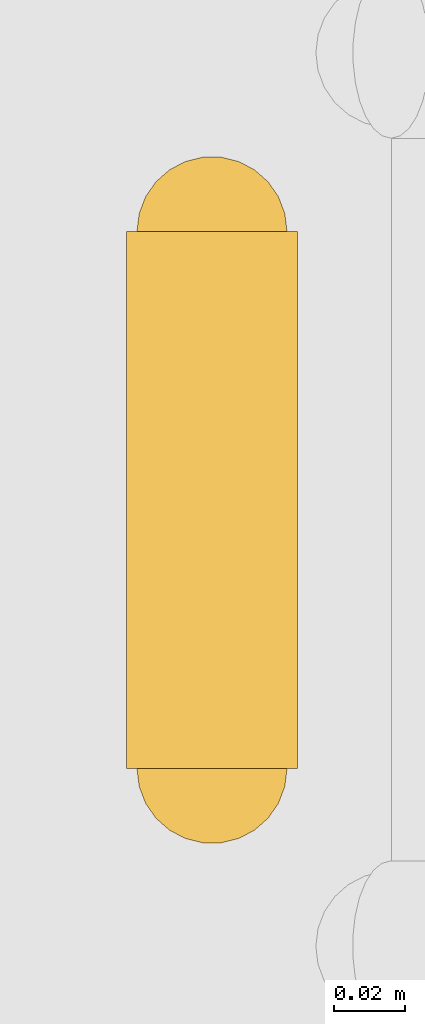
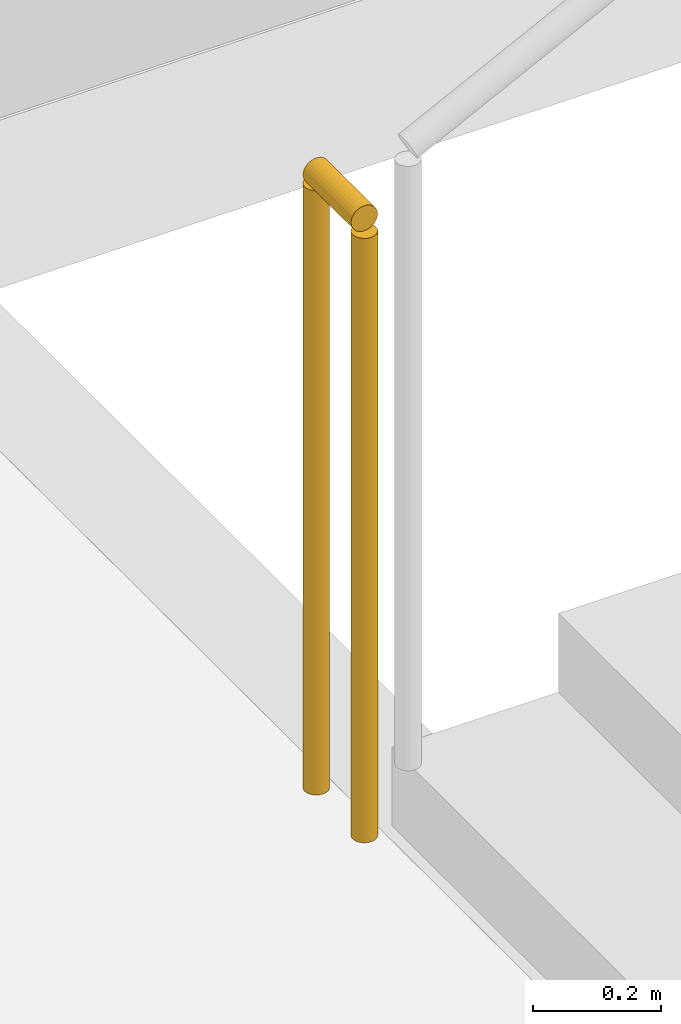
# One storey, part 54 of 59: 1 railing.
"""IFC4 building model written with IfcOpenShell, lengths in metres."""

from ifc_helpers import new_model, si_unit, direction, frame, origin, origin_2d, place, context, subcontext, project, spatial, circle, extrude, material, type_object, element, save


model = new_model("IFC4")

# Units and contexts
model_context = context("Model", 3, precision=1e-05, world=origin(), true_north=direction((0.0, 1.0)))
body_context = subcontext(model_context, "Body", "Model", "MODEL_VIEW")
ifc_project = project(units=[si_unit("LENGTHUNIT", "METRE"), si_unit("AREAUNIT", "SQUARE_METRE"), si_unit("VOLUMEUNIT", "CUBIC_METRE"), si_unit("PLANEANGLEUNIT", "RADIAN"), si_unit("MASSUNIT", "GRAM", prefix="KILO")], contexts=[model_context])

# Site, building, storey
site_placement = place(None, origin())
site = spatial("IfcSite", under=ifc_project, at=site_placement, CompositionType="ELEMENT")
building_placement = place(site_placement, origin())
building = spatial("IfcBuilding", under=site, at=building_placement, Name="Kandorven Conservatory and Botanical Research Centre", CompositionType="ELEMENT")
storey_placement = place(building_placement, frame((0.0, 0.0, 4.800048828125)))
storey = spatial("IfcBuildingStorey", under=building, at=storey_placement, Name="L01", CompositionType="ELEMENT", Elevation=4.800048828125)

# Railing
ifc_material = material(Name="Steel S355 (IS 2062 E350)", Category="steel")
railing_type = type_object("IfcRailingType", Name="StairGuard_1150", PredefinedType="BALUSTRADE", material=ifc_material)
railing_placement = place(storey_placement, frame((51.389892578125, 15.669921875, 0.0)))
element("IfcRailing", 1, at=railing_placement, inside=storey, type_object=railing_type, Name="L01 ST-V3A stair guard 4", PredefinedType="BALUSTRADE", context=body_context, shape_type="SweptSolid", body=[
    extrude(circle(Radius=0.02392578125, at=origin_2d()), frame((0.0, 0.0, 1.17578125), z_axis=(0.0, 1.0, 0.0), x_axis=(-1.0, 0.0, 0.0)), (0.0, 0.0, 1.0), 0.150146484375),
    extrude(circle(Radius=0.02099609375, at=origin_2d()), origin(), (0.0, 0.0, 1.0), 1.15185546875),
    extrude(circle(Radius=0.02099609375, at=origin_2d()), frame((0.0, 0.150146484375, 0.0)), (0.0, 0.0, 1.0), 1.15185546875),
])

save(model, "model.ifc")
